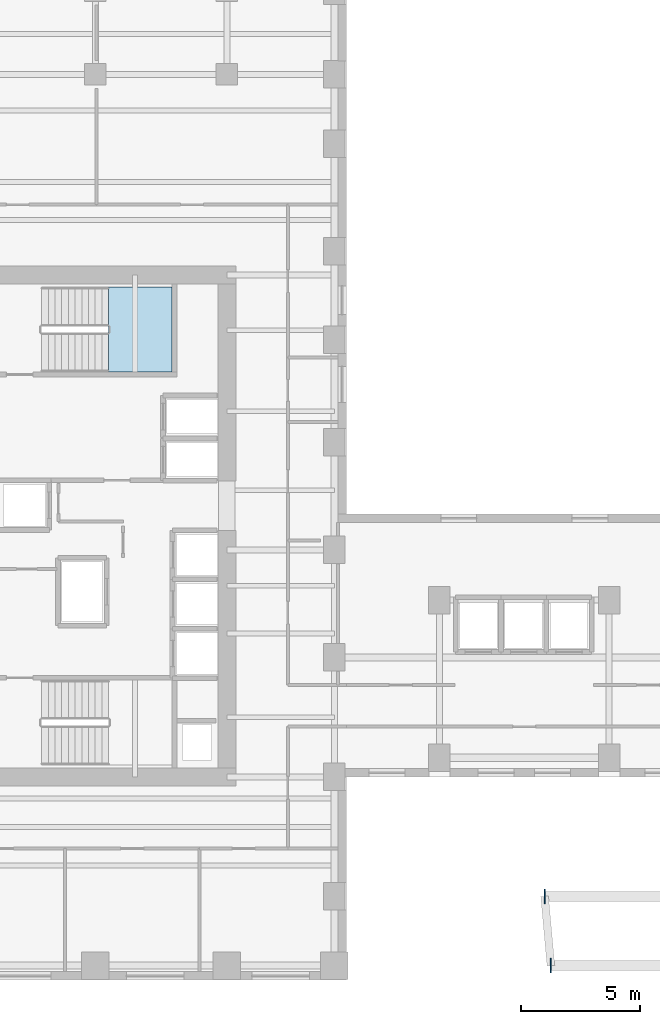
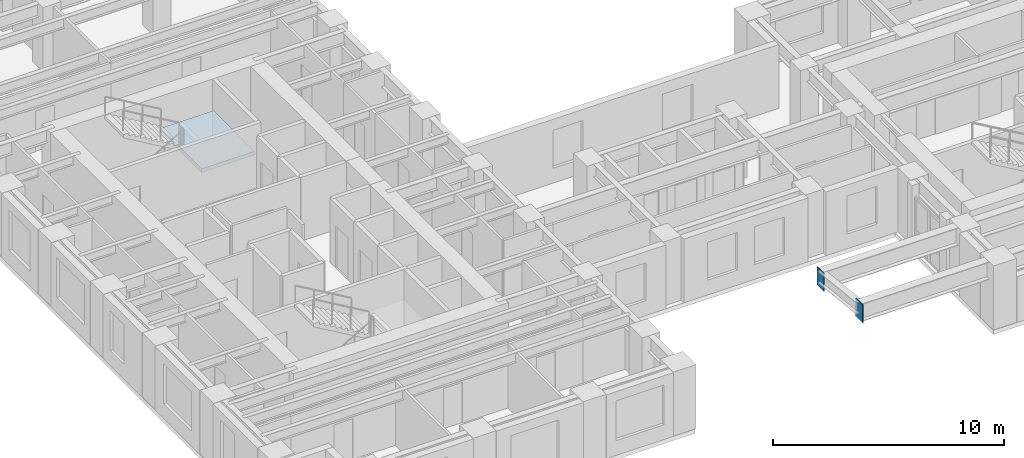
# One storey, part 5 of 14: 2 plates, 1 slab, 1 element without a shape of its own.
"""IFC4 building model written with IfcOpenShell, lengths in metres."""

from ifc_helpers import new_model, si_unit, direction, frame, origin, origin_2d, place, context, subcontext, project, spatial, polyline, rectangle, outline, extrude, source, transform, mapped, material, layer, layer_set, type_object, element, aggregate, save


model = new_model("IFC4")

# Units and contexts
model_context = context("Model", 3, precision=1e-05, world=origin(), true_north=direction((0.0, 1.0)))
body_context = subcontext(model_context, "Body", "Model", "MODEL_VIEW")
ifc_project = project(units=[si_unit("LENGTHUNIT", "METRE"), si_unit("AREAUNIT", "SQUARE_METRE"), si_unit("VOLUMEUNIT", "CUBIC_METRE"), si_unit("PLANEANGLEUNIT", "RADIAN"), si_unit("MASSUNIT", "GRAM", prefix="KILO")], contexts=[model_context])

# Site, building, storey
site_placement = place(None, origin())
site = spatial("IfcSite", under=ifc_project, at=site_placement, CompositionType="ELEMENT")
building_placement = place(site_placement, origin())
building = spatial("IfcBuilding", under=site, at=building_placement, Name="Kharzan Plaza Tower", CompositionType="ELEMENT")
storey_placement = place(building_placement, frame((0.0, 0.0, 131.39990234375)))
storey = spatial("IfcBuildingStorey", under=building, at=storey_placement, Name="L35", CompositionType="ELEMENT", Elevation=131.39990234375)

# Stair, slab
ifc_material_1 = material(Name="Concrete C40/50", Category="concrete")
stair_type = type_object("IfcStairType", Name="STR-ST-2", PredefinedType="HALF_TURN_STAIR", material=ifc_material_1)
stair_placement = place(storey_placement, origin())
stair = element("IfcStair", 1, at=stair_placement, inside=storey, type_object=stair_type, Name="L35 Protected Exit Stair ST-2", PredefinedType="HALF_TURN_STAIR")
ifc_layer_1 = layer(ifc_material_1, 0.219970703125)
ifc_layer_set_1 = layer_set([ifc_layer_1], Name="Concrete C40/50")
slab_type = type_object("IfcSlabType", Name="SL-LANDING-220", PredefinedType="LANDING", material=ifc_layer_set_1)
slab_placement = place(storey_placement, frame((0.0, 0.0, 1.60009765625)))
slab = element("IfcSlab", 2, at=slab_placement, type_object=slab_type, Name="ST-2 landing 1", PredefinedType="LANDING", context=body_context, shape_type="SweptSolid", body=[
    extrude(outline(polyline([(9.550048828125, 25.449951171875), (12.199951171875, 25.449951171875), (12.199951171875, 29.0), (9.550048828125, 29.0), (9.550048828125, 25.449951171875)])), origin(), (0.0, 0.0, 1.0), 0.199951171875),
])
aggregate(stair, [slab])

# Plates
ifc_material_2 = material(Name="Steel S460", Category="steel")
ifc_layer_2 = layer(ifc_material_2, 0.0419921875)
ifc_layer_set_2 = layer_set([ifc_layer_2], Name="Steel S460")
plate_type = type_object("IfcPlateType", Name="PLT-ZTN1", PredefinedType="USERDEFINED", material=ifc_layer_set_2)
shared_shape = source(origin(), body_context, "Body", "SweptSolid", [
    extrude(rectangle(XDim=0.60009765625, YDim=0.0419921875, at=origin_2d()), origin(), (0.0, 0.0, 1.0), 0.949951171875),
])
for number, where, z_axis, x_axis, name in (
    (3, (28.06396484375, 0.60009765625, 2.4365234375), (0.0, 0.0, 1.0), (0.0, 1.0, 0.0), "L35 Sky-Terrace Cantilever Tip Plate ZTN1"),
    (4, (27.800048828125, 3.5, 2.4365234375), (0.0, 0.0, 1.0), (0.0, 1.0, 0.0), "L35 Sky-Terrace Cantilever Tip Plate ZTN1"),
):
    element("IfcPlate", number, at=place(storey_placement, frame(where, z_axis=z_axis, x_axis=x_axis)), inside=storey, type_object=plate_type, Name=name, ObjectType="FLANGE_PLATE", PredefinedType="USERDEFINED", context=body_context, shape_type="MappedRepresentation", body=[
        mapped(shared_shape, transform((0.0, 0.0, 0.0), x_axis=(1.0, 0.0, 0.0), y_axis=(0.0, 1.0, 0.0), z_axis=(0.0, 0.0, 1.0))),
    ])

save(model, "model.ifc")
